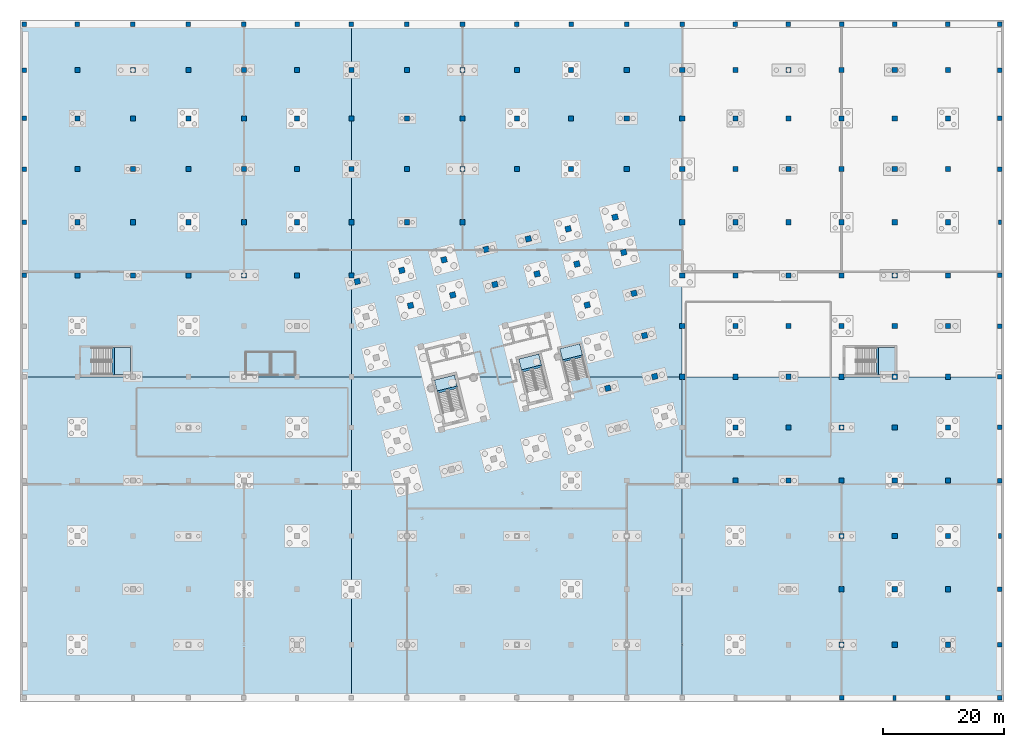
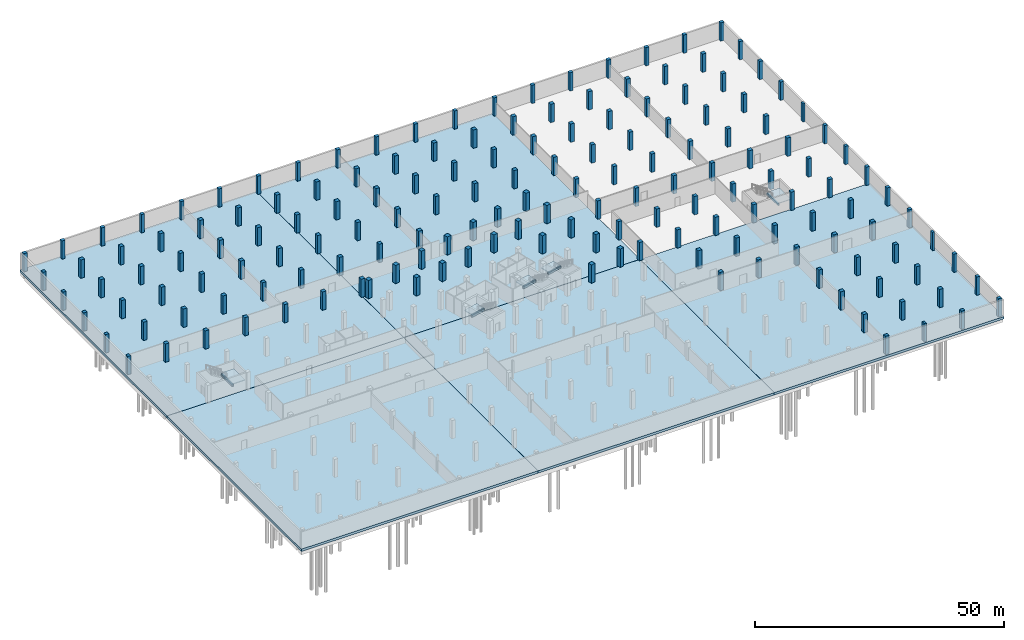
# One storey, part 12 of 29: 166 columns, 10 slabs, 5 beams, 5 elements without a shape of their own.
"""IFC4 building model written with IfcOpenShell, lengths in metres."""

from ifc_helpers import new_model, si_unit, direction, frame, origin, origin_2d, place, context, subcontext, project, spatial, polyline, rectangle, outline, extrude, material, layer, layer_set, material_profile, profile_set, type_object, element, aggregate, save


model = new_model("IFC4")

# Units and contexts
model_context = context("Model", 3, precision=1e-05, world=origin(), true_north=direction((0.0, 1.0)))
body_context = subcontext(model_context, "Body", "Model", "MODEL_VIEW")
ifc_project = project(units=[si_unit("LENGTHUNIT", "METRE"), si_unit("AREAUNIT", "SQUARE_METRE"), si_unit("VOLUMEUNIT", "CUBIC_METRE"), si_unit("PLANEANGLEUNIT", "RADIAN"), si_unit("MASSUNIT", "GRAM", prefix="KILO")], contexts=[model_context])

# Site, building, storey
site_placement = place(None, origin())
site = spatial("IfcSite", under=ifc_project, at=site_placement, CompositionType="ELEMENT")
building_placement = place(site_placement, origin())
building = spatial("IfcBuilding", under=site, at=building_placement, Name="Meriwether Solvik Hall", CompositionType="ELEMENT")
storey_placement = place(building_placement, frame((0.0, 0.0, -9.0)))
storey = spatial("IfcBuildingStorey", under=building, at=storey_placement, Name="B02", CompositionType="ELEMENT", Elevation=-9.0)

# Columns
ifc_material_1 = material(Name="Concrete C40/50", Category="concrete")
ifc_material_profile_1 = material_profile(ifc_material_1, rectangle(XDim=0.75, YDim=0.75, at=origin_2d()), Name="RCC-750X750")
ifc_profile_set_1 = profile_set([ifc_material_profile_1], Name="Concrete C40/50")
column_type_1 = type_object("IfcColumnType", Name="COL-RC-750", PredefinedType="COLUMN", material=ifc_profile_set_1)
for number, where, z_axis, x_axis, name in (
    (1, (5.199951171875, 75.199951171875, 0.0), (0.0, 0.0, 1.0), (1.0, 0.0, 0.0), "Podium Column 1/I (B02)"),
    (2, (5.199951171875, 84.0, 0.0), (0.0, 0.0, 1.0), (1.0, 0.0, 0.0), "Podium Column 1/J (B02)"),
    (3, (5.199951171875, 92.800048828125, 0.0), (0.0, 0.0, 1.0), (1.0, 0.0, 0.0), "Podium Column 1/K (B02)"),
    (4, (5.199951171875, 101.199951171875, 0.0), (0.0, 0.0, 1.0), (1.0, 0.0, 0.0), "Podium Column 1/L (B02)"),
    (5, (5.199951171875, 109.199951171875, 0.0), (0.0, 0.0, 1.0), (1.0, 0.0, 0.0), "Podium Column 1/M (B02)"),
    (6, (5.199951171875, 116.800048828125, 0.0), (0.0, 0.0, 1.0), (1.0, 0.0, 0.0), "Podium Column 1/N (B02)"),
    (7, (14.0, 116.800048828125, 0.0), (0.0, 0.0, 1.0), (1.0, 0.0, 0.0), "Podium Column 2/N (B02)"),
    (8, (23.199951171875, 116.800048828125, 0.0), (0.0, 0.0, 1.0), (1.0, 0.0, 0.0), "Podium Column 3/N (B02)"),
    (9, (32.39990234375, 116.800048828125, 0.0), (0.0, 0.0, 1.0), (1.0, 0.0, 0.0), "Podium Column 4/N (B02)"),
    (10, (41.60009765625, 116.800048828125, 0.0), (0.0, 0.0, 1.0), (1.0, 0.0, 0.0), "Podium Column 5/N (B02)"),
    (11, (50.39990234375, 116.800048828125, 0.0), (0.0, 0.0, 1.0), (1.0, 0.0, 0.0), "Podium Column 6/N (B02)"),
    (12, (59.39990234375, 116.800048828125, 0.0), (0.0, 0.0, 1.0), (1.0, 0.0, 0.0), "Podium Column 7/N (B02)"),
    (13, (68.60009765625, 116.800048828125, 0.0), (0.0, 0.0, 1.0), (1.0, 0.0, 0.0), "Podium Column 8/N (B02)"),
    (14, (77.800048828125, 116.800048828125, 0.0), (0.0, 0.0, 1.0), (1.0, 0.0, 0.0), "Podium Column 9/N (B02)"),
    (15, (86.800048828125, 116.800048828125, 0.0), (0.0, 0.0, 1.0), (1.0, 0.0, 0.0), "Podium Column 10/N (B02)"),
    (16, (95.800048828125, 116.800048828125, 0.0), (0.0, 0.0, 1.0), (1.0, 0.0, 0.0), "Podium Column 11/N (B02)"),
    (17, (105.0, 116.800048828125, 0.0), (0.0, 0.0, 1.0), (1.0, 0.0, 0.0), "Podium Column 12/N (B02)"),
    (18, (114.199951171875, 116.800048828125, 0.0), (0.0, 0.0, 1.0), (1.0, 0.0, 0.0), "Podium Column 13/N (B02)"),
    (19, (123.0, 116.800048828125, 0.0), (0.0, 0.0, 1.0), (1.0, 0.0, 0.0), "Podium Column 14/N (B02)"),
    (20, (131.800048828125, 116.800048828125, 0.0), (0.0, 0.0, 1.0), (1.0, 0.0, 0.0), "Podium Column 15/N (B02)"),
    (21, (140.60009765625, 5.199951171875, 0.0), (0.0, 0.0, 1.0), (1.0, 0.0, 0.0), "Podium Column 16/A (B02)"),
    (22, (140.60009765625, 116.800048828125, 0.0), (0.0, 0.0, 1.0), (1.0, 0.0, 0.0), "Podium Column 16/N (B02)"),
    (23, (149.39990234375, 116.800048828125, 0.0), (0.0, 0.0, 1.0), (1.0, 0.0, 0.0), "Podium Column 17/N (B02)"),
    (24, (158.199951171875, 5.199951171875, 0.0), (0.0, 0.0, 1.0), (1.0, 0.0, 0.0), "Podium Column 18/A (B02)"),
    (25, (158.199951171875, 116.800048828125, 0.0), (0.0, 0.0, 1.0), (1.0, 0.0, 0.0), "Podium Column 18/N (B02)"),
    (26, (166.800048828125, 5.199951171875, 0.0), (0.0, 0.0, 1.0), (1.0, 0.0, 0.0), "Podium Column 19/A (B02)"),
    (27, (166.800048828125, 14.0, 0.0), (0.0, 0.0, 1.0), (1.0, 0.0, 0.0), "Podium Column 19/B (B02)"),
    (28, (166.800048828125, 23.199951171875, 0.0), (0.0, 0.0, 1.0), (1.0, 0.0, 0.0), "Podium Column 19/C (B02)"),
    (29, (166.800048828125, 41.199951171875, 0.0), (0.0, 0.0, 1.0), (1.0, 0.0, 0.0), "Podium Column 19/E (B02)"),
    (30, (166.800048828125, 50.0, 0.0), (0.0, 0.0, 1.0), (1.0, 0.0, 0.0), "Podium Column 19/F (B02)"),
    (31, (166.800048828125, 58.39990234375, 0.0), (0.0, 0.0, 1.0), (1.0, 0.0, 0.0), "Podium Column 19/G (B02)"),
    (32, (166.800048828125, 66.800048828125, 0.0), (0.0, 0.0, 1.0), (1.0, 0.0, 0.0), "Podium Column 19/H (B02)"),
    (33, (166.800048828125, 75.199951171875, 0.0), (0.0, 0.0, 1.0), (1.0, 0.0, 0.0), "Podium Column 19/I (B02)"),
    (34, (166.800048828125, 92.800048828125, 0.0), (0.0, 0.0, 1.0), (1.0, 0.0, 0.0), "Podium Column 19/K (B02)"),
    (35, (166.800048828125, 101.199951171875, 0.0), (0.0, 0.0, 1.0), (1.0, 0.0, 0.0), "Podium Column 19/L (B02)"),
    (36, (166.800048828125, 109.199951171875, 0.0), (0.0, 0.0, 1.0), (1.0, 0.0, 0.0), "Podium Column 19/M (B02)"),
    (37, (166.800048828125, 116.800048828125, 0.0), (0.0, 0.0, 1.0), (1.0, 0.0, 0.0), "Podium Column 19/N (B02)"),
):
    element("IfcColumn", number, at=place(storey_placement, frame(where, z_axis=z_axis, x_axis=x_axis)), inside=storey, type_object=column_type_1, Name=name, PredefinedType="COLUMN", context=body_context, shape_type="SweptSolid", body=[
        extrude(rectangle(XDim=0.75, YDim=0.75, at=origin_2d()), origin(), (0.0, 0.0, 1.0), 4.5),
    ])
ifc_material_2 = material(Name="Concrete C40/50", Category="concrete")
ifc_material_profile_2 = material_profile(ifc_material_2, rectangle(XDim=0.85009765625, YDim=0.85009765625, at=origin_2d()), Name="RCC-850X850")
ifc_profile_set_2 = profile_set([ifc_material_profile_2], Name="Concrete C40/50")
column_type_2 = type_object("IfcColumnType", Name="COL-RC-850", PredefinedType="COLUMN", material=ifc_profile_set_2)
for number, where, z_axis, x_axis, name in (
    (38, (14.0, 75.199951171875, 0.0), (0.0, 0.0, 1.0), (1.0, 0.0, 0.0), "Podium Column 2/I (B02)"),
    (39, (14.0, 84.0, 0.0), (0.0, 0.0, 1.0), (1.0, 0.0, 0.0), "Podium Column 2/J (B02)"),
    (40, (14.0, 92.800048828125, 0.0), (0.0, 0.0, 1.0), (1.0, 0.0, 0.0), "Podium Column 2/K (B02)"),
    (41, (14.0, 101.199951171875, 0.0), (0.0, 0.0, 1.0), (1.0, 0.0, 0.0), "Podium Column 2/L (B02)"),
    (42, (14.0, 109.199951171875, 0.0), (0.0, 0.0, 1.0), (1.0, 0.0, 0.0), "Podium Column 2/M (B02)"),
    (43, (23.199951171875, 75.199951171875, 0.0), (0.0, 0.0, 1.0), (1.0, 0.0, 0.0), "Podium Column 3/I (B02)"),
    (44, (23.199951171875, 84.0, 0.0), (0.0, 0.0, 1.0), (1.0, 0.0, 0.0), "Podium Column 3/J (B02)"),
    (45, (23.199951171875, 92.800048828125, 0.0), (0.0, 0.0, 1.0), (1.0, 0.0, 0.0), "Podium Column 3/K (B02)"),
    (46, (23.199951171875, 101.199951171875, 0.0), (0.0, 0.0, 1.0), (1.0, 0.0, 0.0), "Podium Column 3/L (B02)"),
    (47, (23.199951171875, 109.199951171875, 0.0), (0.0, 0.0, 1.0), (1.0, 0.0, 0.0), "Podium Column 3/M (B02)"),
    (48, (32.39990234375, 75.199951171875, 0.0), (0.0, 0.0, 1.0), (1.0, 0.0, 0.0), "Podium Column 4/I (B02)"),
    (49, (32.39990234375, 84.0, 0.0), (0.0, 0.0, 1.0), (1.0, 0.0, 0.0), "Podium Column 4/J (B02)"),
    (50, (32.39990234375, 92.800048828125, 0.0), (0.0, 0.0, 1.0), (1.0, 0.0, 0.0), "Podium Column 4/K (B02)"),
    (51, (32.39990234375, 101.199951171875, 0.0), (0.0, 0.0, 1.0), (1.0, 0.0, 0.0), "Podium Column 4/L (B02)"),
    (52, (32.39990234375, 109.199951171875, 0.0), (0.0, 0.0, 1.0), (1.0, 0.0, 0.0), "Podium Column 4/M (B02)"),
    (53, (41.60009765625, 75.199951171875, 0.0), (0.0, 0.0, 1.0), (1.0, 0.0, 0.0), "Podium Column 5/I (B02)"),
    (54, (41.60009765625, 84.0, 0.0), (0.0, 0.0, 1.0), (1.0, 0.0, 0.0), "Podium Column 5/J (B02)"),
    (55, (41.60009765625, 92.800048828125, 0.0), (0.0, 0.0, 1.0), (1.0, 0.0, 0.0), "Podium Column 5/K (B02)"),
    (56, (41.60009765625, 101.199951171875, 0.0), (0.0, 0.0, 1.0), (1.0, 0.0, 0.0), "Podium Column 5/L (B02)"),
    (57, (41.60009765625, 109.199951171875, 0.0), (0.0, 0.0, 1.0), (1.0, 0.0, 0.0), "Podium Column 5/M (B02)"),
    (58, (50.39990234375, 75.199951171875, 0.0), (0.0, 0.0, 1.0), (1.0, 0.0, 0.0), "Podium Column 6/I (B02)"),
    (59, (50.39990234375, 84.0, 0.0), (0.0, 0.0, 1.0), (1.0, 0.0, 0.0), "Podium Column 6/J (B02)"),
    (60, (50.39990234375, 92.800048828125, 0.0), (0.0, 0.0, 1.0), (1.0, 0.0, 0.0), "Podium Column 6/K (B02)"),
    (61, (50.39990234375, 101.199951171875, 0.0), (0.0, 0.0, 1.0), (1.0, 0.0, 0.0), "Podium Column 6/L (B02)"),
    (62, (50.39990234375, 109.199951171875, 0.0), (0.0, 0.0, 1.0), (1.0, 0.0, 0.0), "Podium Column 6/M (B02)"),
    (63, (59.39990234375, 75.199951171875, 0.0), (0.0, 0.0, 1.0), (1.0, 0.0, 0.0), "Podium Column 7/I (B02)"),
    (64, (59.39990234375, 84.0, 0.0), (0.0, 0.0, 1.0), (1.0, 0.0, 0.0), "Podium Column 7/J (B02)"),
    (65, (59.39990234375, 92.800048828125, 0.0), (0.0, 0.0, 1.0), (1.0, 0.0, 0.0), "Podium Column 7/K (B02)"),
    (66, (59.39990234375, 101.199951171875, 0.0), (0.0, 0.0, 1.0), (1.0, 0.0, 0.0), "Podium Column 7/L (B02)"),
    (67, (59.39990234375, 109.199951171875, 0.0), (0.0, 0.0, 1.0), (1.0, 0.0, 0.0), "Podium Column 7/M (B02)"),
    (68, (68.60009765625, 84.0, 0.0), (0.0, 0.0, 1.0), (1.0, 0.0, 0.0), "Podium Column 8/J (B02)"),
    (69, (68.60009765625, 92.800048828125, 0.0), (0.0, 0.0, 1.0), (1.0, 0.0, 0.0), "Podium Column 8/K (B02)"),
    (70, (68.60009765625, 101.199951171875, 0.0), (0.0, 0.0, 1.0), (1.0, 0.0, 0.0), "Podium Column 8/L (B02)"),
    (71, (68.60009765625, 109.199951171875, 0.0), (0.0, 0.0, 1.0), (1.0, 0.0, 0.0), "Podium Column 8/M (B02)"),
    (72, (77.800048828125, 84.0, 0.0), (0.0, 0.0, 1.0), (1.0, 0.0, 0.0), "Podium Column 9/J (B02)"),
    (73, (77.800048828125, 92.800048828125, 0.0), (0.0, 0.0, 1.0), (1.0, 0.0, 0.0), "Podium Column 9/K (B02)"),
    (74, (77.800048828125, 101.199951171875, 0.0), (0.0, 0.0, 1.0), (1.0, 0.0, 0.0), "Podium Column 9/L (B02)"),
    (75, (77.800048828125, 109.199951171875, 0.0), (0.0, 0.0, 1.0), (1.0, 0.0, 0.0), "Podium Column 9/M (B02)"),
    (76, (86.800048828125, 92.800048828125, 0.0), (0.0, 0.0, 1.0), (1.0, 0.0, 0.0), "Podium Column 10/K (B02)"),
    (77, (86.800048828125, 101.199951171875, 0.0), (0.0, 0.0, 1.0), (1.0, 0.0, 0.0), "Podium Column 10/L (B02)"),
    (78, (86.800048828125, 109.199951171875, 0.0), (0.0, 0.0, 1.0), (1.0, 0.0, 0.0), "Podium Column 10/M (B02)"),
    (79, (95.800048828125, 92.800048828125, 0.0), (0.0, 0.0, 1.0), (1.0, 0.0, 0.0), "Podium Column 11/K (B02)"),
    (80, (95.800048828125, 101.199951171875, 0.0), (0.0, 0.0, 1.0), (1.0, 0.0, 0.0), "Podium Column 11/L (B02)"),
    (81, (95.800048828125, 109.199951171875, 0.0), (0.0, 0.0, 1.0), (1.0, 0.0, 0.0), "Podium Column 11/M (B02)"),
    (82, (105.0, 92.800048828125, 0.0), (0.0, 0.0, 1.0), (1.0, 0.0, 0.0), "Podium Column 12/K (B02)"),
    (83, (105.0, 101.199951171875, 0.0), (0.0, 0.0, 1.0), (1.0, 0.0, 0.0), "Podium Column 12/L (B02)"),
    (84, (105.0, 109.199951171875, 0.0), (0.0, 0.0, 1.0), (1.0, 0.0, 0.0), "Podium Column 12/M (B02)"),
    (85, (114.199951171875, 58.39990234375, 0.0), (0.0, 0.0, 1.0), (1.0, 0.0, 0.0), "Podium Column 13/G (B02)"),
    (86, (114.199951171875, 66.800048828125, 0.0), (0.0, 0.0, 1.0), (1.0, 0.0, 0.0), "Podium Column 13/H (B02)"),
    (87, (114.199951171875, 75.199951171875, 0.0), (0.0, 0.0, 1.0), (1.0, 0.0, 0.0), "Podium Column 13/I (B02)"),
    (88, (114.199951171875, 84.0, 0.0), (0.0, 0.0, 1.0), (1.0, 0.0, 0.0), "Podium Column 13/J (B02)"),
    (89, (114.199951171875, 92.800048828125, 0.0), (0.0, 0.0, 1.0), (1.0, 0.0, 0.0), "Podium Column 13/K (B02)"),
    (90, (114.199951171875, 101.199951171875, 0.0), (0.0, 0.0, 1.0), (1.0, 0.0, 0.0), "Podium Column 13/L (B02)"),
    (91, (114.199951171875, 109.199951171875, 0.0), (0.0, 0.0, 1.0), (1.0, 0.0, 0.0), "Podium Column 13/M (B02)"),
    (92, (123.0, 41.199951171875, 0.0), (0.0, 0.0, 1.0), (1.0, 0.0, 0.0), "Podium Column 14/E (B02)"),
    (93, (123.0, 50.0, 0.0), (0.0, 0.0, 1.0), (1.0, 0.0, 0.0), "Podium Column 14/F (B02)"),
    (94, (123.0, 58.39990234375, 0.0), (0.0, 0.0, 1.0), (1.0, 0.0, 0.0), "Podium Column 14/G (B02)"),
    (95, (123.0, 66.800048828125, 0.0), (0.0, 0.0, 1.0), (1.0, 0.0, 0.0), "Podium Column 14/H (B02)"),
    (96, (123.0, 75.199951171875, 0.0), (0.0, 0.0, 1.0), (1.0, 0.0, 0.0), "Podium Column 14/I (B02)"),
    (97, (123.0, 84.0, 0.0), (0.0, 0.0, 1.0), (1.0, 0.0, 0.0), "Podium Column 14/J (B02)"),
    (98, (123.0, 92.800048828125, 0.0), (0.0, 0.0, 1.0), (1.0, 0.0, 0.0), "Podium Column 14/K (B02)"),
    (99, (123.0, 101.199951171875, 0.0), (0.0, 0.0, 1.0), (1.0, 0.0, 0.0), "Podium Column 14/L (B02)"),
    (100, (123.0, 109.199951171875, 0.0), (0.0, 0.0, 1.0), (1.0, 0.0, 0.0), "Podium Column 14/M (B02)"),
    (101, (131.800048828125, 41.199951171875, 0.0), (0.0, 0.0, 1.0), (1.0, 0.0, 0.0), "Podium Column 15/E (B02)"),
    (102, (131.800048828125, 50.0, 0.0), (0.0, 0.0, 1.0), (1.0, 0.0, 0.0), "Podium Column 15/F (B02)"),
    (103, (131.800048828125, 58.39990234375, 0.0), (0.0, 0.0, 1.0), (1.0, 0.0, 0.0), "Podium Column 15/G (B02)"),
    (104, (131.800048828125, 66.800048828125, 0.0), (0.0, 0.0, 1.0), (1.0, 0.0, 0.0), "Podium Column 15/H (B02)"),
    (105, (131.800048828125, 75.199951171875, 0.0), (0.0, 0.0, 1.0), (1.0, 0.0, 0.0), "Podium Column 15/I (B02)"),
    (106, (131.800048828125, 84.0, 0.0), (0.0, 0.0, 1.0), (1.0, 0.0, 0.0), "Podium Column 15/J (B02)"),
    (107, (131.800048828125, 92.800048828125, 0.0), (0.0, 0.0, 1.0), (1.0, 0.0, 0.0), "Podium Column 15/K (B02)"),
    (108, (131.800048828125, 101.199951171875, 0.0), (0.0, 0.0, 1.0), (1.0, 0.0, 0.0), "Podium Column 15/L (B02)"),
    (109, (131.800048828125, 109.199951171875, 0.0), (0.0, 0.0, 1.0), (1.0, 0.0, 0.0), "Podium Column 15/M (B02)"),
    (110, (140.60009765625, 14.0, 0.0), (0.0, 0.0, 1.0), (1.0, 0.0, 0.0), "Podium Column 16/B (B02)"),
    (111, (140.60009765625, 23.199951171875, 0.0), (0.0, 0.0, 1.0), (1.0, 0.0, 0.0), "Podium Column 16/C (B02)"),
    (112, (140.60009765625, 32.0, 0.0), (0.0, 0.0, 1.0), (1.0, 0.0, 0.0), "Podium Column 16/D (B02)"),
    (113, (140.60009765625, 41.199951171875, 0.0), (0.0, 0.0, 1.0), (1.0, 0.0, 0.0), "Podium Column 16/E (B02)"),
    (114, (140.60009765625, 50.0, 0.0), (0.0, 0.0, 1.0), (1.0, 0.0, 0.0), "Podium Column 16/F (B02)"),
    (115, (140.60009765625, 58.39990234375, 0.0), (0.0, 0.0, 1.0), (1.0, 0.0, 0.0), "Podium Column 16/G (B02)"),
    (116, (140.60009765625, 66.800048828125, 0.0), (0.0, 0.0, 1.0), (1.0, 0.0, 0.0), "Podium Column 16/H (B02)"),
    (117, (140.60009765625, 75.199951171875, 0.0), (0.0, 0.0, 1.0), (1.0, 0.0, 0.0), "Podium Column 16/I (B02)"),
    (118, (140.60009765625, 84.0, 0.0), (0.0, 0.0, 1.0), (1.0, 0.0, 0.0), "Podium Column 16/J (B02)"),
    (119, (140.60009765625, 92.800048828125, 0.0), (0.0, 0.0, 1.0), (1.0, 0.0, 0.0), "Podium Column 16/K (B02)"),
    (120, (140.60009765625, 101.199951171875, 0.0), (0.0, 0.0, 1.0), (1.0, 0.0, 0.0), "Podium Column 16/L (B02)"),
    (121, (140.60009765625, 109.199951171875, 0.0), (0.0, 0.0, 1.0), (1.0, 0.0, 0.0), "Podium Column 16/M (B02)"),
    (122, (149.39990234375, 14.0, 0.0), (0.0, 0.0, 1.0), (1.0, 0.0, 0.0), "Podium Column 17/B (B02)"),
    (123, (149.39990234375, 23.199951171875, 0.0), (0.0, 0.0, 1.0), (1.0, 0.0, 0.0), "Podium Column 17/C (B02)"),
    (124, (149.39990234375, 32.0, 0.0), (0.0, 0.0, 1.0), (1.0, 0.0, 0.0), "Podium Column 17/D (B02)"),
    (125, (149.39990234375, 41.199951171875, 0.0), (0.0, 0.0, 1.0), (1.0, 0.0, 0.0), "Podium Column 17/E (B02)"),
    (126, (149.39990234375, 50.0, 0.0), (0.0, 0.0, 1.0), (1.0, 0.0, 0.0), "Podium Column 17/F (B02)"),
    (127, (149.39990234375, 58.39990234375, 0.0), (0.0, 0.0, 1.0), (1.0, 0.0, 0.0), "Podium Column 17/G (B02)"),
    (128, (149.39990234375, 66.800048828125, 0.0), (0.0, 0.0, 1.0), (1.0, 0.0, 0.0), "Podium Column 17/H (B02)"),
    (129, (149.39990234375, 75.199951171875, 0.0), (0.0, 0.0, 1.0), (1.0, 0.0, 0.0), "Podium Column 17/I (B02)"),
    (130, (149.39990234375, 84.0, 0.0), (0.0, 0.0, 1.0), (1.0, 0.0, 0.0), "Podium Column 17/J (B02)"),
    (131, (149.39990234375, 92.800048828125, 0.0), (0.0, 0.0, 1.0), (1.0, 0.0, 0.0), "Podium Column 17/K (B02)"),
    (132, (149.39990234375, 101.199951171875, 0.0), (0.0, 0.0, 1.0), (1.0, 0.0, 0.0), "Podium Column 17/L (B02)"),
    (133, (149.39990234375, 109.199951171875, 0.0), (0.0, 0.0, 1.0), (1.0, 0.0, 0.0), "Podium Column 17/M (B02)"),
    (134, (158.199951171875, 14.0, 0.0), (0.0, 0.0, 1.0), (1.0, 0.0, 0.0), "Podium Column 18/B (B02)"),
    (135, (158.199951171875, 23.199951171875, 0.0), (0.0, 0.0, 1.0), (1.0, 0.0, 0.0), "Podium Column 18/C (B02)"),
    (136, (158.199951171875, 32.0, 0.0), (0.0, 0.0, 1.0), (1.0, 0.0, 0.0), "Podium Column 18/D (B02)"),
    (137, (158.199951171875, 41.199951171875, 0.0), (0.0, 0.0, 1.0), (1.0, 0.0, 0.0), "Podium Column 18/E (B02)"),
    (138, (158.199951171875, 50.0, 0.0), (0.0, 0.0, 1.0), (1.0, 0.0, 0.0), "Podium Column 18/F (B02)"),
    (139, (158.199951171875, 58.39990234375, 0.0), (0.0, 0.0, 1.0), (1.0, 0.0, 0.0), "Podium Column 18/G (B02)"),
    (140, (158.199951171875, 66.800048828125, 0.0), (0.0, 0.0, 1.0), (1.0, 0.0, 0.0), "Podium Column 18/H (B02)"),
    (141, (158.199951171875, 75.199951171875, 0.0), (0.0, 0.0, 1.0), (1.0, 0.0, 0.0), "Podium Column 18/I (B02)"),
    (142, (158.199951171875, 84.0, 0.0), (0.0, 0.0, 1.0), (1.0, 0.0, 0.0), "Podium Column 18/J (B02)"),
    (143, (158.199951171875, 92.800048828125, 0.0), (0.0, 0.0, 1.0), (1.0, 0.0, 0.0), "Podium Column 18/K (B02)"),
    (144, (158.199951171875, 101.199951171875, 0.0), (0.0, 0.0, 1.0), (1.0, 0.0, 0.0), "Podium Column 18/L (B02)"),
    (145, (158.199951171875, 109.199951171875, 0.0), (0.0, 0.0, 1.0), (1.0, 0.0, 0.0), "Podium Column 18/M (B02)"),
):
    element("IfcColumn", number, at=place(storey_placement, frame(where, z_axis=z_axis, x_axis=x_axis)), inside=storey, type_object=column_type_2, Name=name, PredefinedType="COLUMN", context=body_context, shape_type="SweptSolid", body=[
        extrude(rectangle(XDim=0.85009765625, YDim=0.85009765625, at=origin_2d()), origin(), (0.0, 0.0, 1.0), 4.5),
    ])
ifc_material_3 = material(Name="Concrete C45/55", Category="concrete")
ifc_material_profile_3 = material_profile(ifc_material_3, rectangle(XDim=0.949951171875, YDim=0.949951171875, at=origin_2d()), Name="RCC-950X950")
ifc_profile_set_3 = profile_set([ifc_material_profile_3], Name="Concrete C45/55")
column_type_3 = type_object("IfcColumnType", Name="COL-RC-950", PredefinedType="COLUMN", material=ifc_profile_set_3)
for number, where, z_axis, x_axis, name in (
    (146, (60.374755859375, 74.18994140625, 0.0), (0.0, 0.0, 1.0), (0.970295726276, 0.2419218956, 0.0), "Tower Column T1/TF (B02)"),
    (147, (69.200439453125, 70.206787109375, 0.0), (0.0, 0.0, 1.0), (0.970295726276, 0.2419218956, 0.0), "Tower Column T2/TE (B02)"),
    (148, (67.7490234375, 76.028564453125, 0.0), (0.0, 0.0, 1.0), (0.970295726276, 0.2419218956, 0.0), "Tower Column T2/TF (B02)"),
    (149, (76.1865234375, 71.94873046875, 0.0), (0.0, 0.0, 1.0), (0.970295726276, 0.2419218956, 0.0), "Tower Column T3/TE (B02)"),
    (150, (74.735107421875, 77.7705078125, 0.0), (0.0, 0.0, 1.0), (0.970295726276, 0.2419218956, 0.0), "Tower Column T3/TF (B02)"),
    (151, (83.172607421875, 73.690673828125, 0.0), (0.0, 0.0, 1.0), (0.970295726276, 0.2419218956, 0.0), "Tower Column T4/TE (B02)"),
    (152, (81.72119140625, 79.512451171875, 0.0), (0.0, 0.0, 1.0), (0.970295726276, 0.2419218956, 0.0), "Tower Column T4/TF (B02)"),
    (153, (90.158935546875, 75.432373046875, 0.0), (0.0, 0.0, 1.0), (0.970295726276, 0.2419218956, 0.0), "Tower Column T5/TE (B02)"),
    (154, (88.707275390625, 81.254150390625, 0.0), (0.0, 0.0, 1.0), (0.970295726276, 0.2419218956, 0.0), "Tower Column T5/TF (B02)"),
    (155, (101.885498046875, 56.507080078125, 0.0), (0.0, 0.0, 1.0), (0.970295726276, 0.2419218956, 0.0), "Tower Column T6/TB (B02)"),
    (156, (98.4501953125, 70.285400390625, 0.0), (0.0, 0.0, 1.0), (0.970295726276, 0.2419218956, 0.0), "Tower Column T6/TD (B02)"),
    (157, (96.7568359375, 77.077392578125, 0.0), (0.0, 0.0, 1.0), (0.970295726276, 0.2419218956, 0.0), "Tower Column T6/TE (B02)"),
    (158, (95.305419921875, 82.899169921875, 0.0), (0.0, 0.0, 1.0), (0.970295726276, 0.2419218956, 0.0), "Tower Column T6/TF (B02)"),
    (159, (109.64794921875, 58.442626953125, 0.0), (0.0, 0.0, 1.0), (0.970295726276, 0.2419218956, 0.0), "Tower Column T7/TB (B02)"),
    (160, (107.95458984375, 65.234619140625, 0.0), (0.0, 0.0, 1.0), (0.970295726276, 0.2419218956, 0.0), "Tower Column T7/TC (B02)"),
    (161, (106.212646484375, 72.220703125, 0.0), (0.0, 0.0, 1.0), (0.970295726276, 0.2419218956, 0.0), "Tower Column T7/TD (B02)"),
    (162, (104.519287109375, 79.012939453125, 0.0), (0.0, 0.0, 1.0), (0.970295726276, 0.2419218956, 0.0), "Tower Column T7/TE (B02)"),
    (163, (103.067626953125, 84.834716796875, 0.0), (0.0, 0.0, 1.0), (0.970295726276, 0.2419218956, 0.0), "Tower Column T7/TF (B02)"),
):
    element("IfcColumn", number, at=place(storey_placement, frame(where, z_axis=z_axis, x_axis=x_axis)), inside=storey, type_object=column_type_3, Name=name, PredefinedType="COLUMN", context=body_context, shape_type="SweptSolid", body=[
        extrude(rectangle(XDim=0.949951171875, YDim=0.949951171875, at=origin_2d()), origin(), (0.0, 0.0, 1.0), 4.5),
    ])
ifc_material_4 = material(Name="Concrete C40/50", Category="concrete")
ifc_material_profile_4 = material_profile(ifc_material_4, rectangle(XDim=0.5, YDim=0.800048828125, at=origin_2d()), Name="RCP-500X800")
ifc_profile_set_4 = profile_set([ifc_material_profile_4], Name="Concrete C40/50")
column_type_4 = type_object("IfcColumnType", Name="PIL-RC-500X800", PredefinedType="PILASTER", material=ifc_profile_set_4)
for number, where, z_axis, x_axis, name in (
    (164, (149.39990234375, 5.199951171875, 0.0), (0.0, 0.0, 1.0), (1.0, 0.0, 0.0), "Podium Column 17/A (B02)"),
    (165, (166.800048828125, 32.0, 0.0), (0.0, 0.0, 1.0), (1.0, 0.0, 0.0), "Podium Column 19/D (B02)"),
    (166, (166.800048828125, 84.0, 0.0), (0.0, 0.0, 1.0), (1.0, 0.0, 0.0), "Podium Column 19/J (B02)"),
):
    element("IfcColumn", number, at=place(storey_placement, frame(where, z_axis=z_axis, x_axis=x_axis)), inside=storey, type_object=column_type_4, Name=name, PredefinedType="PILASTER", context=body_context, shape_type="SweptSolid", body=[
        extrude(rectangle(XDim=0.5, YDim=0.800048828125, at=origin_2d()), origin(), (0.0, 0.0, 1.0), 4.5),
    ])

# Beams
ifc_material_5 = material(Name="Concrete C40/50", Category="concrete")
ifc_material_profile_5 = material_profile(ifc_material_5, rectangle(XDim=0.35009765625, YDim=0.419921875, at=origin_2d()), Name="RCB-350X420")
ifc_profile_set_5 = profile_set([ifc_material_profile_5], Name="Concrete C40/50")
beam_type_1 = type_object("IfcBeamType", Name="BM-LND-RC-350X420", PredefinedType="BEAM", material=ifc_profile_set_5)
beam_1_placement = place(storey_placement, frame((94.39892578125, 61.0302734375, 1.840087890625), z_axis=(0.970292601873, 0.24193442655, 0.0), x_axis=(-0.24193442655, 0.970292601873, 0.0)))
element("IfcBeam", 167, at=beam_1_placement, inside=storey, type_object=beam_type_1, Name="Stair ST-03 Half-Landing Header Beam (B02)", PredefinedType="BEAM", context=body_context, shape_type="SweptSolid", body=[
    extrude(rectangle(XDim=0.35009765625, YDim=0.419921875, at=origin_2d()), origin(), (0.0, 0.0, 1.0), 3.440185546875),
])
for number, where, z_axis, x_axis, name in (
    (168, (19.949951171875, 58.72998046875, 1.840087890625), (0.0, 1.0, 0.0), (-1.0, 0.0, 0.0), "Stair ST-04 Half-Landing Header Beam (B02)"),
    (169, (146.550048828125, 58.72998046875, 1.840087890625), (0.0, 1.0, 0.0), (-1.0, 0.0, 0.0), "Stair ST-05 Half-Landing Header Beam (B02)"),
):
    element("IfcBeam", number, at=place(storey_placement, frame(where, z_axis=z_axis, x_axis=x_axis)), inside=storey, type_object=beam_type_1, Name=name, PredefinedType="BEAM", context=body_context, shape_type="SweptSolid", body=[
        extrude(rectangle(XDim=0.35009765625, YDim=0.419921875, at=origin_2d()), origin(), (0.0, 0.0, 1.0), 4.5400390625),
    ])
ifc_material_6 = material(Name="Concrete C40/50", Category="concrete")
ifc_material_profile_6 = material_profile(ifc_material_6, rectangle(XDim=0.39990234375, YDim=0.47998046875, at=origin_2d()), Name="RCB-400X480")
ifc_profile_set_6 = profile_set([ifc_material_profile_6], Name="Concrete C40/50")
beam_type_2 = type_object("IfcBeamType", Name="BM-LND-RC-400X480", PredefinedType="BEAM", material=ifc_profile_set_6)
beam_2_placement = place(storey_placement, frame((73.634521484375, 55.853271484375, 1.81005859375), z_axis=(0.970292601873, 0.24193442655, 0.0), x_axis=(-0.24193442655, 0.970292601873, 0.0)))
element("IfcBeam", 170, at=beam_2_placement, inside=storey, type_object=beam_type_2, Name="Stair ST-01 Half-Landing Header Beam (B02)", PredefinedType="BEAM", context=body_context, shape_type="SweptSolid", body=[
    extrude(rectangle(XDim=0.39990234375, YDim=0.47998046875, at=origin_2d()), origin(), (0.0, 0.0, 1.0), 3.440185546875),
])
beam_3_placement = place(storey_placement, frame((87.60693359375, 59.3369140625, 1.81005859375), z_axis=(0.970288447449, 0.24195108751, 0.0), x_axis=(-0.24195108751, 0.970288447449, 0.0)))
element("IfcBeam", 171, at=beam_3_placement, inside=storey, type_object=beam_type_2, Name="Stair ST-02 Half-Landing Header Beam (B02)", PredefinedType="BEAM", context=body_context, shape_type="SweptSolid", body=[
    extrude(rectangle(XDim=0.39990234375, YDim=0.47998046875, at=origin_2d()), origin(), (0.0, 0.0, 1.0), 3.43994140625),
])

# Stair, slab
ifc_material_7 = material(Name="Concrete C40/50", Category="concrete")
stair_type_1 = type_object("IfcStairType", Name="STR-CORE-DOGLEG-B", PredefinedType="TWO_STRAIGHT_RUN_STAIR", material=ifc_material_7)
stair_1_placement = place(storey_placement, origin())
stair_1 = element("IfcStair", 172, at=stair_1_placement, inside=storey, type_object=stair_type_1, Name="Exit Stair ST-01 (B02)", PredefinedType="TWO_STRAIGHT_RUN_STAIR")
ifc_material_8 = material(Name="Concrete C40/50", Category="concrete")
ifc_layer_1 = layer(ifc_material_8, 0.199951171875)
ifc_layer_set_1 = layer_set([ifc_layer_1], Name="Concrete C40/50")
slab_type_1 = type_object("IfcSlabType", Name="SLB-LND-200", PredefinedType="LANDING", material=ifc_layer_set_1)
slab_1_placement = place(storey_placement, frame((0.0, 0.0, 2.050048828125)))
slab_1 = element("IfcSlab", 173, at=slab_1_placement, type_object=slab_type_1, Name="Stair ST-01 Half Landing (B02)", PredefinedType="LANDING", context=body_context, shape_type="SweptSolid", body=[
    extrude(outline(polyline([(73.697021484375, 55.664794921875), (77.005859375, 56.48974609375), (76.460693359375, 58.67578125), (73.152099609375, 57.850830078125), (73.697021484375, 55.664794921875)])), origin(), (0.0, 0.0, 1.0), 0.199951171875),
])
aggregate(stair_1, [slab_1])

stair_2_placement = place(storey_placement, origin())
stair_2 = element("IfcStair", 174, at=stair_2_placement, inside=storey, type_object=stair_type_1, Name="Exit Stair ST-02 (B02)", PredefinedType="TWO_STRAIGHT_RUN_STAIR")
slab_2_placement = place(storey_placement, frame((0.0, 0.0, 2.050048828125)))
slab_2 = element("IfcSlab", 175, at=slab_2_placement, type_object=slab_type_1, Name="Stair ST-02 Half Landing (B02)", PredefinedType="LANDING", context=body_context, shape_type="SweptSolid", body=[
    extrude(outline(polyline([(87.66943359375, 59.1484375), (90.97802734375, 59.973388671875), (90.432861328125, 62.159423828125), (87.124267578125, 61.33447265625), (87.66943359375, 59.1484375)])), origin(), (0.0, 0.0, 1.0), 0.199951171875),
])
aggregate(stair_2, [slab_2])

stair_3_placement = place(storey_placement, origin())
stair_3 = element("IfcStair", 176, at=stair_3_placement, inside=storey, type_object=stair_type_1, Name="Exit Stair ST-03 (B02)", PredefinedType="TWO_STRAIGHT_RUN_STAIR")
slab_3_placement = place(storey_placement, frame((0.0, 0.0, 2.050048828125)))
slab_3 = element("IfcSlab", 177, at=slab_3_placement, type_object=slab_type_1, Name="Stair ST-03 Half Landing (B02)", PredefinedType="LANDING", context=body_context, shape_type="SweptSolid", body=[
    extrude(outline(polyline([(94.46142578125, 60.841796875), (97.77001953125, 61.666748046875), (97.22509765625, 63.85302734375), (93.916259765625, 63.028076171875), (94.46142578125, 60.841796875)])), origin(), (0.0, 0.0, 1.0), 0.199951171875),
])
aggregate(stair_3, [slab_3])

ifc_material_9 = material(Name="Concrete C40/50", Category="concrete")
stair_type_2 = type_object("IfcStairType", Name="STR-CORE-WIDE", PredefinedType="TWO_STRAIGHT_RUN_STAIR", material=ifc_material_9)
stair_4_placement = place(storey_placement, origin())
stair_4 = element("IfcStair", 178, at=stair_4_placement, inside=storey, type_object=stair_type_2, Name="Exit Stair ST-04 (B02)", PredefinedType="TWO_STRAIGHT_RUN_STAIR")
slab_4_placement = place(storey_placement, frame((0.0, 0.0, 2.050048828125)))
slab_4 = element("IfcSlab", 179, at=slab_4_placement, type_object=slab_type_1, Name="Stair ST-04 Half Landing (B02)", PredefinedType="LANDING", context=body_context, shape_type="SweptSolid", body=[
    extrude(outline(polyline([(19.751953125, 58.7451171875), (22.804931640625, 58.7451171875), (22.804931640625, 63.2548828125), (19.751953125, 63.2548828125), (19.751953125, 58.7451171875)])), origin(), (0.0, 0.0, 1.0), 0.199951171875),
])
aggregate(stair_4, [slab_4])

stair_5_placement = place(storey_placement, origin())
stair_5 = element("IfcStair", 180, at=stair_5_placement, inside=storey, type_object=stair_type_2, Name="Exit Stair ST-05 (B02)", PredefinedType="TWO_STRAIGHT_RUN_STAIR")
slab_5_placement = place(storey_placement, frame((0.0, 0.0, 2.050048828125)))
slab_5 = element("IfcSlab", 181, at=slab_5_placement, type_object=slab_type_1, Name="Stair ST-05 Half Landing (B02)", PredefinedType="LANDING", context=body_context, shape_type="SweptSolid", body=[
    extrude(outline(polyline([(146.35205078125, 58.7451171875), (149.405029296875, 58.7451171875), (149.405029296875, 63.2548828125), (146.35205078125, 63.2548828125), (146.35205078125, 58.7451171875)])), origin(), (0.0, 0.0, 1.0), 0.199951171875),
])
aggregate(stair_5, [slab_5])

# Slabs
ifc_material_10 = material(Name="Concrete C40/50", Category="concrete")
ifc_layer_2 = layer(ifc_material_10, 0.60009765625)
ifc_layer_set_2 = layer_set([ifc_layer_2], Name="Concrete C40/50")
slab_type_2 = type_object("IfcSlabType", Name="SLB-MAT-600", PredefinedType="BASESLAB", material=ifc_layer_set_2)
slab_6_placement = place(storey_placement, frame((0.0, 0.0, -0.60009765625)))
element("IfcSlab", 182, at=slab_6_placement, inside=storey, type_object=slab_type_2, Name="B02 Structural Slab Zone 1", PredefinedType="BASESLAB", context=body_context, shape_type="SweptSolid", body=[
    extrude(outline(polyline([(59.39697265625, 58.39697265625), (59.39697265625, 4.5), (4.5, 4.5), (4.5, 58.39697265625), (59.39697265625, 58.39697265625)])), origin(), (0.0, 0.0, 1.0), 0.60009765625),
])
slab_7_placement = place(storey_placement, frame((0.0, 0.0, -0.60009765625)))
element("IfcSlab", 183, at=slab_7_placement, inside=storey, type_object=slab_type_2, Name="B02 Structural Slab Zone 2", PredefinedType="BASESLAB", context=body_context, shape_type="SweptSolid", body=[
    extrude(outline(polyline([(59.39697265625, 58.403076171875), (4.5, 58.403076171875), (4.5, 117.5), (59.39697265625, 117.5), (59.39697265625, 58.403076171875)])), origin(), (0.0, 0.0, 1.0), 0.60009765625),
])
slab_8_placement = place(storey_placement, frame((0.0, 0.0, -0.60009765625)))
element("IfcSlab", 184, at=slab_8_placement, inside=storey, type_object=slab_type_2, Name="B02 Structural Slab Zone 3", PredefinedType="BASESLAB", context=body_context, shape_type="SweptSolid", body=[
    extrude(outline(polyline([(59.403076171875, 58.39697265625), (114.197021484375, 58.39697265625), (114.197021484375, 4.5), (59.403076171875, 4.5), (59.403076171875, 58.39697265625)])), origin(), (0.0, 0.0, 1.0), 0.60009765625),
])
slab_9_placement = place(storey_placement, frame((0.0, 0.0, -0.60009765625)))
element("IfcSlab", 185, at=slab_9_placement, inside=storey, type_object=slab_type_2, Name="B02 Structural Slab Zone 4", PredefinedType="BASESLAB", context=body_context, shape_type="SweptSolid", body=[
    extrude(outline(polyline([(114.197021484375, 58.403076171875), (59.403076171875, 58.403076171875), (59.403076171875, 117.5), (114.197021484375, 117.5), (114.197021484375, 58.403076171875)])), origin(), (0.0, 0.0, 1.0), 0.60009765625),
])
slab_10_placement = place(storey_placement, frame((0.0, 0.0, -0.60009765625)))
element("IfcSlab", 186, at=slab_10_placement, inside=storey, type_object=slab_type_2, Name="B02 Structural Slab Zone 5", PredefinedType="BASESLAB", context=body_context, shape_type="SweptSolid", body=[
    extrude(outline(polyline([(114.202880859375, 58.39697265625), (167.5, 58.39697265625), (167.5, 4.5), (114.202880859375, 4.5), (114.202880859375, 58.39697265625)])), origin(), (0.0, 0.0, 1.0), 0.60009765625),
])

save(model, "model.ifc")
